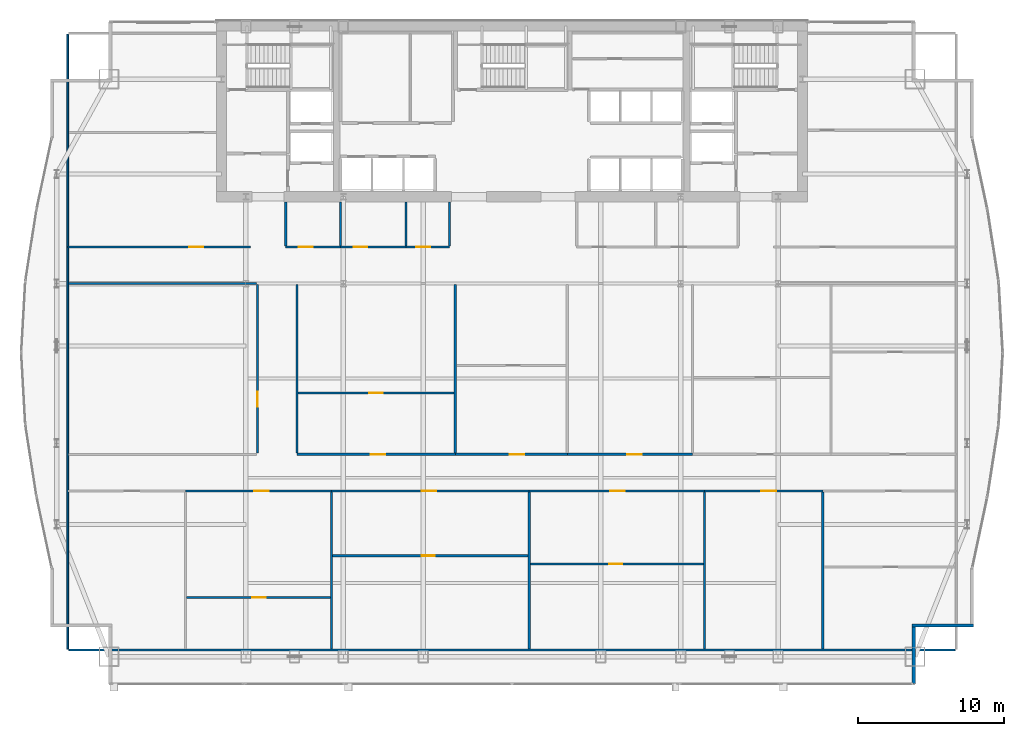
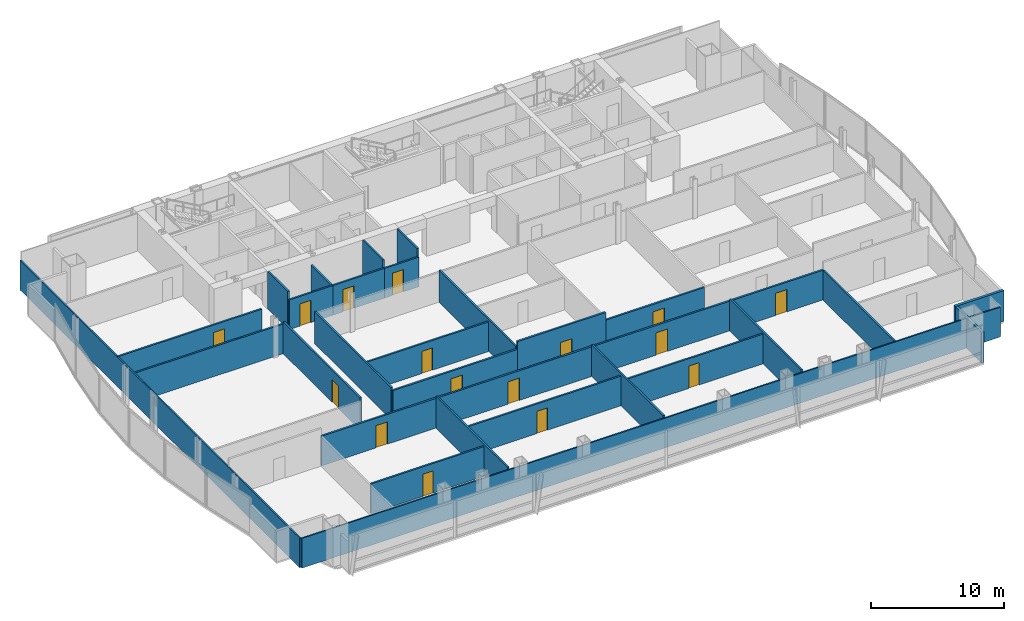
# One storey, part 24 of 29: 31 walls, 16 doors, 16 openings.
"""IFC4 building model written with IfcOpenShell, lengths in metres."""

from ifc_helpers import new_model, si_unit, direction, frame, frame_2d, origin, place, context, subcontext, project, spatial, rectangle, extrude, material, layer, layer_set, type_object, element, fill, save


model = new_model("IFC4")

# Units and contexts
model_context = context("Model", 3, precision=1e-05, world=origin(), true_north=direction((0.0, 1.0)))
body_context = subcontext(model_context, "Body", "Model", "MODEL_VIEW")
ifc_project = project(units=[si_unit("LENGTHUNIT", "METRE"), si_unit("AREAUNIT", "SQUARE_METRE"), si_unit("VOLUMEUNIT", "CUBIC_METRE"), si_unit("PLANEANGLEUNIT", "RADIAN"), si_unit("MASSUNIT", "GRAM", prefix="KILO")], contexts=[model_context])

# Site, building, storey
site_placement = place(None, origin())
site = spatial("IfcSite", under=ifc_project, at=site_placement, CompositionType="ELEMENT")
building_placement = place(site_placement, origin())
building = spatial("IfcBuilding", under=site, at=building_placement, Name="Khoronbel Lancet Exchange", CompositionType="ELEMENT")
storey_placement = place(building_placement, frame((0.0, 0.0, 165.0)))
storey = spatial("IfcBuildingStorey", under=building, at=storey_placement, Name="L41", CompositionType="ELEMENT", Elevation=165.0)

# Walls
ifc_material_1 = material(Name="Precast concrete C40/50", Category="concrete")
ifc_layer_1 = layer(ifc_material_1, 0.25, Name="Precast concrete C40/50")
ifc_layer_set_1 = layer_set([ifc_layer_1], Name="Precast concrete C40/50")
wall_type_1 = type_object("IfcWallType", Name="WL-EXT250", PredefinedType="SOLIDWALL", material=ifc_layer_set_1)
wall_1_placement = place(storey_placement, frame((68.070068359375, 12.2900390625, 0.0), z_axis=(0.0, 0.0, 1.0), x_axis=(-1.0, 0.0, 0.0)))
element("IfcWall", 1, at=wall_1_placement, inside=storey, type_object=wall_type_1, Name="Level L41 notched-corner limestone pier 24", PredefinedType="SOLIDWALL", context=body_context, shape_type="SweptSolid", body=[
    extrude(rectangle(XDim=4.219970703125, YDim=0.219970703125, at=frame_2d((2.10986328125, 0.0))), origin(), (0.0, 0.0, 1.0), 2.830078125),
])
wall_2_placement = place(storey_placement, frame((63.9599609375, 12.179931640625, 0.0), z_axis=(0.0, 0.0, 1.0), x_axis=(0.0, -1.0, 0.0)))
element("IfcWall", 2, at=wall_2_placement, inside=storey, type_object=wall_type_1, Name="Level L41 notched-corner limestone pier 25", PredefinedType="SOLIDWALL", context=body_context, shape_type="SweptSolid", body=[
    extrude(rectangle(XDim=3.909912109375, YDim=0.219970703125, at=frame_2d((1.955078125, 0.0))), origin(), (0.0, 0.0, 1.0), 2.830078125),
])
ifc_material_2 = material(Name="Acoustic Metal-Stud & Mineral-Wool Gypsum Partition 120 mm", Category="gypsum")
ifc_layer_2 = layer(ifc_material_2, 0.1201171875, Name="Acoustic Metal-Stud & Mineral-Wool Gypsum Partition 120 mm")
ifc_layer_set_2 = layer_set([ifc_layer_2], Name="Acoustic Metal-Stud & Mineral-Wool Gypsum Partition 120 mm")
wall_type_2 = type_object("IfcWallType", Name="WL-PRT120", PredefinedType="PARTITIONING", material=ifc_layer_set_2)
wall_3_placement = place(storey_placement, frame((20.949951171875, 38.280029296875, 0.0), z_axis=(0.0, 0.0, 1.0), x_axis=(0.0, 1.0, 0.0)))
element("IfcWall", 3, at=wall_3_placement, inside=storey, type_object=wall_type_2, Name="Level L41 interior partition PW-WC-0", PredefinedType="PARTITIONING", context=body_context, shape_type="SweptSolid", body=[
    extrude(rectangle(XDim=3.02001953125, YDim=0.14990234375, at=frame_2d((1.510009765625, 0.0))), origin(), (0.0, 0.0, 1.0), 3.43994140625),
])
wall_4_placement = place(storey_placement, frame((24.699951171875, 38.280029296875, 0.0), z_axis=(0.0, 0.0, 1.0), x_axis=(0.0, 1.0, 0.0)))
element("IfcWall", 4, at=wall_4_placement, inside=storey, type_object=wall_type_2, Name="Level L41 interior partition PW-WC-1", PredefinedType="PARTITIONING", context=body_context, shape_type="SweptSolid", body=[
    extrude(rectangle(XDim=3.02001953125, YDim=0.14990234375, at=frame_2d((1.510009765625, 0.0))), origin(), (0.0, 0.0, 1.0), 2.72998046875),
])
for number, where, z_axis, x_axis, name in (
    (5, (29.199951171875, 38.280029296875, 0.0), (0.0, 0.0, 1.0), (0.0, 1.0, 0.0), "Level L41 interior partition PW-WC-2"),
    (6, (32.179931640625, 38.280029296875, 0.0), (0.0, 0.0, 1.0), (0.0, 1.0, 0.0), "Level L41 interior partition PW-WC-3"),
):
    element("IfcWall", number, at=place(storey_placement, frame(where, z_axis=z_axis, x_axis=x_axis)), inside=storey, type_object=wall_type_2, Name=name, PredefinedType="PARTITIONING", context=body_context, shape_type="SweptSolid", body=[
        extrude(rectangle(XDim=3.02001953125, YDim=0.14990234375, at=frame_2d((1.510009765625, 0.0))), origin(), (0.0, 0.0, 1.0), 3.43994140625),
    ])

# Wall, opening, door
wall_5_placement = place(storey_placement, frame((14.1728515625, 14.208984375, 0.0), z_axis=(0.0, 0.0, 1.0), x_axis=(1.0, 0.0, 0.0)))
wall_5 = element("IfcWall", 7, at=wall_5_placement, inside=storey, type_object=wall_type_2, Name="Level L41 interior partition PW-Z2S-H2", PredefinedType="PARTITIONING", context=body_context, shape_type="SweptSolid", body=[
    extrude(rectangle(XDim=9.84033203125, YDim=0.14990234375, at=frame_2d((4.920166015625, 0.0))), origin(), (0.0, 0.0, 1.0), 2.72998046875),
])
opening_1_placement = place(wall_5_placement, frame((4.500244140625, 0.0, 0.0)))
opening_1 = element("IfcOpeningElement", 8, at=opening_1_placement, cuts=wall_5, Name="Opening D5", PredefinedType="OPENING", context=body_context, shape_type="SweptSolid", body=[
    extrude(rectangle(XDim=0.89990234375, YDim=2.050048828125, at=frame_2d((0.449951171875, 1.02490234375))), frame((0.0, 0.0849609375, 0.0), z_axis=(0.0, -1.0, 0.0), x_axis=(1.0, 0.0, 0.0)), (0.0, 0.0, 1.0), 0.169921875),
])
ifc_material_3 = material(Name="Acoustic Timber Pantry & Support Door", Category="wood")
door_type_1 = type_object("IfcDoorType", Name="DR-D5", OperationType="NOTDEFINED", PredefinedType="DOOR", material=ifc_material_3)
door_1_placement = place(opening_1_placement, origin())
door_1 = element("IfcDoor", 9, at=door_1_placement, inside=storey, type_object=door_type_1, Name="Z2S inner door 2 L41-1", OperationType="SINGLE_SWING_RIGHT", OverallHeight=2.050048828125, OverallWidth=0.89990234375, PredefinedType="DOOR", context=body_context, shape_type="SweptSolid", body=[
    extrude(rectangle(XDim=0.89990234375, YDim=2.050048828125, at=frame_2d((0.449951171875, 1.02490234375))), frame((0.0, 0.02490234375, 0.0), z_axis=(0.0, -1.0, 0.0), x_axis=(1.0, 0.0, 0.0)), (0.0, 0.0, 1.0), 0.050048828125),
])
fill(opening_1, door_1)

wall_6_placement = place(storey_placement, frame((24.173095703125, 17.063232421875, 0.0), z_axis=(0.0, 0.0, 1.0), x_axis=(1.0, 0.0, 0.0)))
wall_6 = element("IfcWall", 10, at=wall_6_placement, inside=storey, type_object=wall_type_2, Name="Level L41 interior partition PW-Z2S-H3", PredefinedType="PARTITIONING", context=body_context, shape_type="SweptSolid", body=[
    extrude(rectangle(XDim=13.378173828125, YDim=0.14990234375, at=frame_2d((6.68896484375, 0.0))), origin(), (0.0, 0.0, 1.0), 2.72998046875),
])
opening_2_placement = place(wall_6_placement, frame((6.092041015625, 0.0, 0.0)))
opening_2 = element("IfcOpeningElement", 11, at=opening_2_placement, cuts=wall_6, Name="Opening D5", PredefinedType="OPENING", context=body_context, shape_type="SweptSolid", body=[
    extrude(rectangle(XDim=0.89990234375, YDim=2.050048828125, at=frame_2d((0.449951171875, 1.02490234375))), frame((0.0, 0.0849609375, 0.0), z_axis=(0.0, -1.0, 0.0), x_axis=(1.0, 0.0, 0.0)), (0.0, 0.0, 1.0), 0.169921875),
])
door_2_placement = place(opening_2_placement, origin())
door_2 = element("IfcDoor", 12, at=door_2_placement, inside=storey, type_object=door_type_1, Name="Z2S inner door 3 L41-1", OperationType="SINGLE_SWING_RIGHT", OverallHeight=2.050048828125, OverallWidth=0.89990234375, PredefinedType="DOOR", context=body_context, shape_type="SweptSolid", body=[
    extrude(rectangle(XDim=0.89990234375, YDim=2.050048828125, at=frame_2d((0.449951171875, 1.02490234375))), frame((0.0, 0.02490234375, 0.0), z_axis=(0.0, -1.0, 0.0), x_axis=(1.0, 0.0, 0.0)), (0.0, 0.0, 1.0), 0.050048828125),
])
fill(opening_2, door_2)

wall_7_placement = place(storey_placement, frame((37.711181640625, 16.488037109375, 0.0), z_axis=(0.0, 0.0, 1.0), x_axis=(1.0, 0.0, 0.0)))
wall_7 = element("IfcWall", 13, at=wall_7_placement, inside=storey, type_object=wall_type_2, Name="Level L41 interior partition PW-Z2S-H4", PredefinedType="PARTITIONING", context=body_context, shape_type="SweptSolid", body=[
    extrude(rectangle(XDim=11.840576171875, YDim=0.14990234375, at=frame_2d((5.92041015625, 0.0))), origin(), (0.0, 0.0, 1.0), 2.72998046875),
])
opening_3_placement = place(wall_7_placement, frame((5.400146484375, 0.0, 0.0)))
opening_3 = element("IfcOpeningElement", 14, at=opening_3_placement, cuts=wall_7, Name="Opening D5", PredefinedType="OPENING", context=body_context, shape_type="SweptSolid", body=[
    extrude(rectangle(XDim=0.89990234375, YDim=2.050048828125, at=frame_2d((0.449951171875, 1.02490234375))), frame((0.0, 0.0849609375, 0.0), z_axis=(0.0, -1.0, 0.0), x_axis=(1.0, 0.0, 0.0)), (0.0, 0.0, 1.0), 0.169921875),
])
door_3_placement = place(opening_3_placement, origin())
door_3 = element("IfcDoor", 15, at=door_3_placement, inside=storey, type_object=door_type_1, Name="Z2S inner door 4 L41-1", OperationType="SINGLE_SWING_RIGHT", OverallHeight=2.050048828125, OverallWidth=0.89990234375, PredefinedType="DOOR", context=body_context, shape_type="SweptSolid", body=[
    extrude(rectangle(XDim=0.89990234375, YDim=2.050048828125, at=frame_2d((0.449951171875, 1.02490234375))), frame((0.0, 0.02490234375, 0.0), z_axis=(0.0, -1.0, 0.0), x_axis=(1.0, 0.0, 0.0)), (0.0, 0.0, 1.0), 0.050048828125),
])
fill(opening_3, door_3)

wall_8_placement = place(storey_placement, frame((21.81005859375, 28.2119140625, 0.0), z_axis=(0.0, 0.0, 1.0), x_axis=(1.0, 0.0, 0.0)))
wall_8 = element("IfcWall", 16, at=wall_8_placement, inside=storey, type_object=wall_type_2, Name="Level L41 interior partition PW-Z2N-H1", PredefinedType="PARTITIONING", context=body_context, shape_type="SweptSolid", body=[
    extrude(rectangle(XDim=10.673583984375, YDim=0.14990234375, at=frame_2d((5.3369140625, 0.0))), origin(), (0.0, 0.0, 1.0), 2.72998046875),
])
opening_4_placement = place(wall_8_placement, frame((4.875, 0.0, 0.0)))
opening_4 = element("IfcOpeningElement", 17, at=opening_4_placement, cuts=wall_8, Name="Opening D5", PredefinedType="OPENING", context=body_context, shape_type="SweptSolid", body=[
    extrude(rectangle(XDim=0.89990234375, YDim=2.050048828125, at=frame_2d((0.449951171875, 1.02490234375))), frame((0.0, 0.0849609375, 0.0), z_axis=(0.0, -1.0, 0.0), x_axis=(1.0, 0.0, 0.0)), (0.0, 0.0, 1.0), 0.169921875),
])
door_4_placement = place(opening_4_placement, origin())
door_4 = element("IfcDoor", 18, at=door_4_placement, inside=storey, type_object=door_type_1, Name="Z2N inner door 1 L41-1", OperationType="SINGLE_SWING_RIGHT", OverallHeight=2.050048828125, OverallWidth=0.89990234375, PredefinedType="DOOR", context=body_context, shape_type="SweptSolid", body=[
    extrude(rectangle(XDim=0.89990234375, YDim=2.050048828125, at=frame_2d((0.449951171875, 1.02490234375))), frame((0.0, 0.02490234375, 0.0), z_axis=(0.0, -1.0, 0.0), x_axis=(1.0, 0.0, 0.0)), (0.0, 0.0, 1.0), 0.050048828125),
])
fill(opening_4, door_4)

# Walls
wall_9_placement = place(storey_placement, frame((6.030029296875, 10.6650390625, 0.0), z_axis=(0.0, 0.0, 1.0), x_axis=(0.0, 1.0, 0.0)))
element("IfcWall", 19, at=wall_9_placement, inside=storey, type_object=wall_type_2, Name="Level L41 interior partition PW-LIN-W", PredefinedType="PARTITIONING", context=body_context, shape_type="SweptSolid", body=[
    extrude(rectangle(XDim=42.10986328125, YDim=0.1201171875, at=frame_2d((21.054931640625, 0.0))), origin(), (0.0, 0.0, 1.0), 2.72998046875),
])
wall_10_placement = place(storey_placement, frame((6.094970703125, 10.60009765625, 0.0), z_axis=(0.0, 0.0, 1.0), x_axis=(1.0, 0.0, 0.0)))
element("IfcWall", 20, at=wall_10_placement, inside=storey, type_object=wall_type_2, Name="Level L41 interior partition PW-LIN-S", PredefinedType="PARTITIONING", context=body_context, shape_type="SweptSolid", body=[
    extrude(rectangle(XDim=60.7099609375, YDim=0.1201171875, at=frame_2d((30.35498046875, 0.0))), origin(), (0.0, 0.0, 1.0), 2.72998046875),
])

# Wall, opening, door
ifc_material_4 = material(Name="Fire-Rated Twin-Stud Acoustic Gypsum Partition 150 mm", Category="gypsum")
ifc_layer_3 = layer(ifc_material_4, 0.14990234375, Name="Fire-Rated Twin-Stud Acoustic Gypsum Partition 150 mm")
ifc_layer_set_3 = layer_set([ifc_layer_3], Name="Fire-Rated Twin-Stud Acoustic Gypsum Partition 150 mm")
wall_type_3 = type_object("IfcWallType", Name="WL-PRT150C", PredefinedType="PARTITIONING", material=ifc_layer_set_3)
wall_11_placement = place(storey_placement, frame((20.949951171875, 38.199951171875, 0.0), z_axis=(0.0, 0.0, 1.0), x_axis=(1.0, 0.0, 0.0)))
wall_11 = element("IfcWall", 21, at=wall_11_placement, inside=storey, type_object=wall_type_3, Name="Level L41 interior partition PW-WC-S1", PredefinedType="PARTITIONING", context=body_context, shape_type="SweptSolid", body=[
    extrude(rectangle(XDim=3.75, YDim=0.14990234375, at=frame_2d((1.875, 0.0))), origin(), (0.0, 0.0, 1.0), 2.72998046875),
])
opening_5_placement = place(wall_11_placement, frame((0.89990234375, 0.0, 0.0)))
opening_5 = element("IfcOpeningElement", 22, at=opening_5_placement, cuts=wall_11, Name="Opening D4", PredefinedType="OPENING", context=body_context, shape_type="SweptSolid", body=[
    extrude(rectangle(XDim=0.949951171875, YDim=2.050048828125, at=frame_2d((0.47509765625, 1.02490234375))), frame((0.0, 0.0849609375, 0.0), z_axis=(0.0, -1.0, 0.0), x_axis=(1.0, 0.0, 0.0)), (0.0, 0.0, 1.0), 0.169921875),
])
ifc_material_5 = material(Name="Moisture-Resistant HPL Washroom Door", Category="wood")
door_type_2 = type_object("IfcDoorType", Name="DR-D4", OperationType="NOTDEFINED", PredefinedType="DOOR", material=ifc_material_5)
door_5_placement = place(opening_5_placement, origin())
door_5 = element("IfcDoor", 23, at=door_5_placement, inside=storey, type_object=door_type_2, Name="Male washroom door L41-1", OperationType="SINGLE_SWING_LEFT", OverallHeight=2.050048828125, OverallWidth=0.949951171875, PredefinedType="DOOR", context=body_context, shape_type="SweptSolid", body=[
    extrude(rectangle(XDim=0.949951171875, YDim=2.050048828125, at=frame_2d((0.47509765625, 1.02490234375))), frame((0.0, 0.02490234375, 0.0), z_axis=(0.0, -1.0, 0.0), x_axis=(1.0, 0.0, 0.0)), (0.0, 0.0, 1.0), 0.050048828125),
])
fill(opening_5, door_5)

wall_12_placement = place(storey_placement, frame((24.699951171875, 38.199951171875, 0.0), z_axis=(0.0, 0.0, 1.0), x_axis=(1.0, 0.0, 0.0)))
wall_12 = element("IfcWall", 24, at=wall_12_placement, inside=storey, type_object=wall_type_3, Name="Level L41 interior partition PW-WC-S2", PredefinedType="PARTITIONING", context=body_context, shape_type="SweptSolid", body=[
    extrude(rectangle(XDim=4.5, YDim=0.14990234375, at=frame_2d((2.25, 0.0))), origin(), (0.0, 0.0, 1.0), 2.72998046875),
])
opening_6_placement = place(wall_12_placement, frame((0.89990234375, 0.0, 0.0)))
opening_6 = element("IfcOpeningElement", 25, at=opening_6_placement, cuts=wall_12, Name="Opening D4", PredefinedType="OPENING", context=body_context, shape_type="SweptSolid", body=[
    extrude(rectangle(XDim=0.949951171875, YDim=2.050048828125, at=frame_2d((0.47509765625, 1.02490234375))), frame((0.0, 0.0849609375, 0.0), z_axis=(0.0, -1.0, 0.0), x_axis=(1.0, 0.0, 0.0)), (0.0, 0.0, 1.0), 0.169921875),
])
door_6_placement = place(opening_6_placement, origin())
door_6 = element("IfcDoor", 26, at=door_6_placement, inside=storey, type_object=door_type_2, Name="Female washroom door L41-1", OperationType="SINGLE_SWING_RIGHT", OverallHeight=2.050048828125, OverallWidth=0.949951171875, PredefinedType="DOOR", context=body_context, shape_type="SweptSolid", body=[
    extrude(rectangle(XDim=0.949951171875, YDim=2.050048828125, at=frame_2d((0.47509765625, 1.02490234375))), frame((0.0, 0.02490234375, 0.0), z_axis=(0.0, -1.0, 0.0), x_axis=(1.0, 0.0, 0.0)), (0.0, 0.0, 1.0), 0.050048828125),
])
fill(opening_6, door_6)

wall_13_placement = place(storey_placement, frame((29.199951171875, 38.199951171875, 0.0), z_axis=(0.0, 0.0, 1.0), x_axis=(1.0, 0.0, 0.0)))
wall_13 = element("IfcWall", 27, at=wall_13_placement, inside=storey, type_object=wall_type_3, Name="Level L41 interior partition PW-WC-S3", PredefinedType="PARTITIONING", context=body_context, shape_type="SweptSolid", body=[
    extrude(rectangle(XDim=2.97998046875, YDim=0.14990234375, at=frame_2d((1.489990234375, 0.0))), origin(), (0.0, 0.0, 1.0), 2.72998046875),
])
opening_7_placement = place(wall_13_placement, frame((0.699951171875, 0.0, 0.0)))
opening_7 = element("IfcOpeningElement", 28, at=opening_7_placement, cuts=wall_13, Name="Opening D4", PredefinedType="OPENING", context=body_context, shape_type="SweptSolid", body=[
    extrude(rectangle(XDim=0.949951171875, YDim=2.050048828125, at=frame_2d((0.47509765625, 1.02490234375))), frame((0.0, 0.0849609375, 0.0), z_axis=(0.0, -1.0, 0.0), x_axis=(1.0, 0.0, 0.0)), (0.0, 0.0, 1.0), 0.169921875),
])
door_7_placement = place(opening_7_placement, origin())
door_7 = element("IfcDoor", 29, at=door_7_placement, inside=storey, type_object=door_type_2, Name="Accessible WC door L41-1", OperationType="SINGLE_SWING_LEFT", OverallHeight=2.050048828125, OverallWidth=0.949951171875, PredefinedType="DOOR", context=body_context, shape_type="SweptSolid", body=[
    extrude(rectangle(XDim=0.949951171875, YDim=2.050048828125, at=frame_2d((0.47509765625, 1.02490234375))), frame((0.0, 0.02490234375, 0.0), z_axis=(0.0, -1.0, 0.0), x_axis=(1.0, 0.0, 0.0)), (0.0, 0.0, 1.0), 0.050048828125),
])
fill(opening_7, door_7)

wall_14_placement = place(storey_placement, frame((6.030029296875, 38.199951171875, 0.0), z_axis=(0.0, 0.0, 1.0), x_axis=(1.0, 0.0, 0.0)))
wall_14 = element("IfcWall", 30, at=wall_14_placement, inside=storey, type_object=wall_type_3, Name="Level L41 interior partition PW-NW-S", PredefinedType="PARTITIONING", context=body_context, shape_type="SweptSolid", body=[
    extrude(rectangle(XDim=12.52001953125, YDim=0.14990234375, at=frame_2d((6.260009765625, 0.0))), origin(), (0.0, 0.0, 1.0), 2.72998046875),
])
opening_8_placement = place(wall_14_placement, frame((8.320068359375, 0.0, 0.0)))
opening_8 = element("IfcOpeningElement", 31, at=opening_8_placement, cuts=wall_14, Name="Opening D1", PredefinedType="OPENING", context=body_context, shape_type="SweptSolid", body=[
    extrude(rectangle(XDim=0.949951171875, YDim=2.050048828125, at=frame_2d((0.47509765625, 1.02490234375))), frame((0.0, 0.0849609375, 0.0), z_axis=(0.0, -1.0, 0.0), x_axis=(1.0, 0.0, 0.0)), (0.0, 0.0, 1.0), 0.169921875),
])
ifc_material_6 = material(Name="Acoustic Veneered Timber & Bronze Frame Door", Category="wood")
door_type_3 = type_object("IfcDoorType", Name="DR-D1", OperationType="NOTDEFINED", PredefinedType="DOOR", material=ifc_material_6)
door_8_placement = place(opening_8_placement, origin())
door_8 = element("IfcDoor", 32, at=door_8_placement, inside=storey, type_object=door_type_3, Name="NW corner room door L41-1", OperationType="SINGLE_SWING_RIGHT", OverallHeight=2.050048828125, OverallWidth=0.949951171875, PredefinedType="DOOR", context=body_context, shape_type="SweptSolid", body=[
    extrude(rectangle(XDim=0.949951171875, YDim=2.050048828125, at=frame_2d((0.47509765625, 1.02490234375))), frame((0.0, 0.02490234375, 0.0), z_axis=(0.0, -1.0, 0.0), x_axis=(1.0, 0.0, 0.0)), (0.0, 0.0, 1.0), 0.050048828125),
])
fill(opening_8, door_8)

# Walls
for number, where, z_axis, x_axis, name in (
    (33, (24.09326171875, 10.6650390625, 0.0), (0.0, 0.0, 1.0), (0.0, 1.0, 0.0), "Level L41 interior partition PW-Z2S-V2"),
    (34, (37.63134765625, 10.6650390625, 0.0), (0.0, 0.0, 1.0), (0.0, 1.0, 0.0), "Level L41 interior partition PW-Z2S-V3"),
    (35, (49.6318359375, 10.6650390625, 0.0), (0.0, 0.0, 1.0), (0.0, 1.0, 0.0), "Level L41 interior partition PW-Z2S-V4"),
):
    element("IfcWall", number, at=place(storey_placement, frame(where, z_axis=z_axis, x_axis=x_axis)), inside=storey, type_object=wall_type_3, Name=name, PredefinedType="PARTITIONING", context=body_context, shape_type="SweptSolid", body=[
        extrude(rectangle(XDim=10.75, YDim=0.14990234375, at=frame_2d((5.375, 0.0))), origin(), (0.0, 0.0, 1.0), 2.929931640625),
    ])
wall_15_placement = place(storey_placement, frame((57.732177734375, 10.6650390625, 0.0), z_axis=(0.0, 0.0, 1.0), x_axis=(0.0, 1.0, 0.0)))
element("IfcWall", 36, at=wall_15_placement, inside=storey, type_object=wall_type_3, Name="Level L41 interior partition PW-Z2S-V5", PredefinedType="PARTITIONING", context=body_context, shape_type="SweptSolid", body=[
    extrude(rectangle(XDim=10.75, YDim=0.14990234375, at=frame_2d((5.375, 0.0))), origin(), (0.0, 0.0, 1.0), 2.72998046875),
])

# Wall, opening, door
wall_16_placement = place(storey_placement, frame((19.02001953125, 24.080078125, 0.0), z_axis=(0.0, 0.0, 1.0), x_axis=(0.0, 1.0, 0.0)))
wall_16 = element("IfcWall", 37, at=wall_16_placement, inside=storey, type_object=wall_type_3, Name="Level L41 interior partition PW-Z2-WLK", PredefinedType="PARTITIONING", context=body_context, shape_type="SweptSolid", body=[
    extrude(rectangle(XDim=11.5400390625, YDim=0.14990234375, at=frame_2d((5.77001953125, 0.0))), origin(), (0.0, 0.0, 1.0), 2.929931640625),
])
opening_9_placement = place(wall_16_placement, frame((3.199951171875, 0.0, 0.0)))
opening_9 = element("IfcOpeningElement", 38, at=opening_9_placement, cuts=wall_16, Name="Opening D2", PredefinedType="OPENING", context=body_context, shape_type="SweptSolid", body=[
    extrude(rectangle(XDim=1.0, YDim=2.050048828125, at=frame_2d((0.5, 1.02490234375))), frame((0.0, 0.0849609375, 0.0), z_axis=(0.0, -1.0, 0.0), x_axis=(1.0, 0.0, 0.0)), (0.0, 0.0, 1.0), 0.169921875),
])
door_type_4 = type_object("IfcDoorType", Name="DR-D2", OperationType="NOTDEFINED", PredefinedType="DOOR", material=ifc_material_6)
door_9_placement = place(opening_9_placement, origin())
door_9 = element("IfcDoor", 39, at=door_9_placement, inside=storey, type_object=door_type_4, Name="West mid-band room door L41-1", OperationType="SINGLE_SWING_RIGHT", OverallHeight=2.050048828125, OverallWidth=1.0, PredefinedType="DOOR", context=body_context, shape_type="SweptSolid", body=[
    extrude(rectangle(XDim=1.0, YDim=2.050048828125, at=frame_2d((0.5, 1.02490234375))), frame((0.0, 0.02490234375, 0.0), z_axis=(0.0, -1.0, 0.0), x_axis=(1.0, 0.0, 0.0)), (0.0, 0.0, 1.0), 0.050048828125),
])
fill(opening_9, door_9)

# Walls
wall_17_placement = place(storey_placement, frame((6.094970703125, 35.699951171875, 0.0), z_axis=(0.0, 0.0, 1.0), x_axis=(1.0, 0.0, 0.0)))
element("IfcWall", 40, at=wall_17_placement, inside=storey, type_object=wall_type_3, Name="Level L41 interior partition PW-Z2-WN", PredefinedType="PARTITIONING", context=body_context, shape_type="SweptSolid", body=[
    extrude(rectangle(XDim=12.844970703125, YDim=0.14990234375, at=frame_2d((6.42236328125, 0.0))), origin(), (0.0, 0.0, 1.0), 2.72998046875),
])
for number, where, z_axis, x_axis, name in (
    (41, (21.72998046875, 24.0849609375, 0.0), (0.0, 0.0, 1.0), (0.0, 1.0, 0.0), "Level L41 interior partition PW-Z2-ELK"),
    (42, (32.563720703125, 24.0849609375, 0.0), (0.0, 0.0, 1.0), (0.0, 1.0, 0.0), "Level L41 interior partition PW-Z2N-V1"),
):
    element("IfcWall", number, at=place(storey_placement, frame(where, z_axis=z_axis, x_axis=x_axis)), inside=storey, type_object=wall_type_3, Name=name, PredefinedType="PARTITIONING", context=body_context, shape_type="SweptSolid", body=[
        extrude(rectangle(XDim=11.53515625, YDim=0.14990234375, at=frame_2d((5.767578125, 0.0))), origin(), (0.0, 0.0, 1.0), 2.929931640625),
    ])

# Wall, opening, door
ifc_material_7 = material(Name="Fire-Rated Twin-Stud Acoustic Gypsum Partition 160 mm", Category="gypsum")
ifc_layer_4 = layer(ifc_material_7, 0.159912109375, Name="Fire-Rated Twin-Stud Acoustic Gypsum Partition 160 mm")
ifc_layer_set_4 = layer_set([ifc_layer_4], Name="Fire-Rated Twin-Stud Acoustic Gypsum Partition 160 mm")
wall_type_4 = type_object("IfcWallType", Name="WL-PRT160C", PredefinedType="PARTITIONING", material=ifc_layer_set_4)
wall_18_placement = place(storey_placement, frame((14.0927734375, 21.5, 0.0), z_axis=(0.0, 0.0, 1.0), x_axis=(1.0, 0.0, 0.0)))
wall_18 = element("IfcWall", 43, at=wall_18_placement, inside=storey, type_object=wall_type_4, Name="Level L41 interior partition PW-Z2S-COR2", PredefinedType="PARTITIONING", context=body_context, shape_type="SweptSolid", body=[
    extrude(rectangle(XDim=10.00048828125, YDim=0.159912109375, at=frame_2d((5.000244140625, 0.0))), origin(), (0.0, 0.0, 1.0), 2.72998046875),
])
opening_10_placement = place(wall_18_placement, frame((4.7001953125, 0.0, 0.0)))
opening_10 = element("IfcOpeningElement", 44, at=opening_10_placement, cuts=wall_18, Name="Opening D2", PredefinedType="OPENING", context=body_context, shape_type="SweptSolid", body=[
    extrude(rectangle(XDim=1.0, YDim=2.050048828125, at=frame_2d((0.5, 1.02490234375))), frame((0.0, 0.08984375, 0.0), z_axis=(0.0, -1.0, 0.0), x_axis=(1.0, 0.0, 0.0)), (0.0, 0.0, 1.0), 0.179931640625),
])
door_10_placement = place(opening_10_placement, origin())
door_10 = element("IfcDoor", 45, at=door_10_placement, inside=storey, type_object=door_type_4, Name="Z2S bay 2 door L41-1", OperationType="SINGLE_SWING_LEFT", OverallHeight=2.050048828125, OverallWidth=1.0, PredefinedType="DOOR", context=body_context, shape_type="SweptSolid", body=[
    extrude(rectangle(XDim=1.0, YDim=2.050048828125, at=frame_2d((0.5, 1.02490234375))), frame((0.0, 0.02490234375, 0.0), z_axis=(0.0, -1.0, 0.0), x_axis=(1.0, 0.0, 0.0)), (0.0, 0.0, 1.0), 0.050048828125),
])
fill(opening_10, door_10)

wall_19_placement = place(storey_placement, frame((24.09326171875, 21.5, 0.0), z_axis=(0.0, 0.0, 1.0), x_axis=(1.0, 0.0, 0.0)))
wall_19 = element("IfcWall", 46, at=wall_19_placement, inside=storey, type_object=wall_type_4, Name="Level L41 interior partition PW-Z2S-COR3", PredefinedType="PARTITIONING", context=body_context, shape_type="SweptSolid", body=[
    extrude(rectangle(XDim=13.5380859375, YDim=0.159912109375, at=frame_2d((6.76904296875, 0.0))), origin(), (0.0, 0.0, 1.0), 2.72998046875),
])
opening_11_placement = place(wall_19_placement, frame((6.18603515625, 0.0, 0.0)))
opening_11 = element("IfcOpeningElement", 47, at=opening_11_placement, cuts=wall_19, Name="Opening D2", PredefinedType="OPENING", context=body_context, shape_type="SweptSolid", body=[
    extrude(rectangle(XDim=1.0, YDim=2.050048828125, at=frame_2d((0.5, 1.02490234375))), frame((0.0, 0.08984375, 0.0), z_axis=(0.0, -1.0, 0.0), x_axis=(1.0, 0.0, 0.0)), (0.0, 0.0, 1.0), 0.179931640625),
])
door_11_placement = place(opening_11_placement, origin())
door_11 = element("IfcDoor", 48, at=door_11_placement, inside=storey, type_object=door_type_4, Name="Z2S bay 3 door L41-1", OperationType="SINGLE_SWING_LEFT", OverallHeight=2.050048828125, OverallWidth=1.0, PredefinedType="DOOR", context=body_context, shape_type="SweptSolid", body=[
    extrude(rectangle(XDim=1.0, YDim=2.050048828125, at=frame_2d((0.5, 1.02490234375))), frame((0.0, 0.02490234375, 0.0), z_axis=(0.0, -1.0, 0.0), x_axis=(1.0, 0.0, 0.0)), (0.0, 0.0, 1.0), 0.050048828125),
])
fill(opening_11, door_11)

wall_20_placement = place(storey_placement, frame((37.63134765625, 21.5, 0.0), z_axis=(0.0, 0.0, 1.0), x_axis=(1.0, 0.0, 0.0)))
wall_20 = element("IfcWall", 49, at=wall_20_placement, inside=storey, type_object=wall_type_4, Name="Level L41 interior partition PW-Z2S-COR4", PredefinedType="PARTITIONING", context=body_context, shape_type="SweptSolid", body=[
    extrude(rectangle(XDim=12.00048828125, YDim=0.159912109375, at=frame_2d((6.000244140625, 0.0))), origin(), (0.0, 0.0, 1.0), 2.72998046875),
])
opening_12_placement = place(wall_20_placement, frame((5.540283203125, 0.0, 0.0)))
opening_12 = element("IfcOpeningElement", 50, at=opening_12_placement, cuts=wall_20, Name="Opening D2", PredefinedType="OPENING", context=body_context, shape_type="SweptSolid", body=[
    extrude(rectangle(XDim=1.0, YDim=2.050048828125, at=frame_2d((0.5, 1.02490234375))), frame((0.0, 0.08984375, 0.0), z_axis=(0.0, -1.0, 0.0), x_axis=(1.0, 0.0, 0.0)), (0.0, 0.0, 1.0), 0.179931640625),
])
door_12_placement = place(opening_12_placement, origin())
door_12 = element("IfcDoor", 51, at=door_12_placement, inside=storey, type_object=door_type_4, Name="Z2S bay 4 door L41-1", OperationType="SINGLE_SWING_LEFT", OverallHeight=2.050048828125, OverallWidth=1.0, PredefinedType="DOOR", context=body_context, shape_type="SweptSolid", body=[
    extrude(rectangle(XDim=1.0, YDim=2.050048828125, at=frame_2d((0.5, 1.02490234375))), frame((0.0, 0.02490234375, 0.0), z_axis=(0.0, -1.0, 0.0), x_axis=(1.0, 0.0, 0.0)), (0.0, 0.0, 1.0), 0.050048828125),
])
fill(opening_12, door_12)

wall_21_placement = place(storey_placement, frame((49.6318359375, 21.5, 0.0), z_axis=(0.0, 0.0, 1.0), x_axis=(1.0, 0.0, 0.0)))
wall_21 = element("IfcWall", 52, at=wall_21_placement, inside=storey, type_object=wall_type_4, Name="Level L41 interior partition PW-Z2S-COR5", PredefinedType="PARTITIONING", context=body_context, shape_type="SweptSolid", body=[
    extrude(rectangle(XDim=8.100341796875, YDim=0.159912109375, at=frame_2d((4.05029296875, 0.0))), origin(), (0.0, 0.0, 1.0), 2.72998046875),
])
opening_13_placement = place(wall_21_placement, frame((3.902099609375, 0.0, 0.0)))
opening_13 = element("IfcOpeningElement", 53, at=opening_13_placement, cuts=wall_21, Name="Opening D2", PredefinedType="OPENING", context=body_context, shape_type="SweptSolid", body=[
    extrude(rectangle(XDim=1.0, YDim=2.050048828125, at=frame_2d((0.5, 1.02490234375))), frame((0.0, 0.08984375, 0.0), z_axis=(0.0, -1.0, 0.0), x_axis=(1.0, 0.0, 0.0)), (0.0, 0.0, 1.0), 0.179931640625),
])
door_13_placement = place(opening_13_placement, origin())
door_13 = element("IfcDoor", 54, at=door_13_placement, inside=storey, type_object=door_type_4, Name="Z2S bay 5 door L41-1", OperationType="SINGLE_SWING_LEFT", OverallHeight=2.050048828125, OverallWidth=1.0, PredefinedType="DOOR", context=body_context, shape_type="SweptSolid", body=[
    extrude(rectangle(XDim=1.0, YDim=2.050048828125, at=frame_2d((0.5, 1.02490234375))), frame((0.0, 0.02490234375, 0.0), z_axis=(0.0, -1.0, 0.0), x_axis=(1.0, 0.0, 0.0)), (0.0, 0.0, 1.0), 0.050048828125),
])
fill(opening_13, door_13)

wall_22_placement = place(storey_placement, frame((21.72998046875, 24.0, 0.0), z_axis=(0.0, 0.0, 1.0), x_axis=(1.0, 0.0, 0.0)))
wall_22 = element("IfcWall", 55, at=wall_22_placement, inside=storey, type_object=wall_type_4, Name="Level L41 interior partition PW-Z2N-COR1", PredefinedType="PARTITIONING", context=body_context, shape_type="SweptSolid", body=[
    extrude(rectangle(XDim=10.833740234375, YDim=0.159912109375, at=frame_2d((5.4169921875, 0.0))), origin(), (0.0, 0.0, 1.0), 2.72998046875),
])
opening_14_placement = place(wall_22_placement, frame((5.050048828125, 0.0, 0.0)))
opening_14 = element("IfcOpeningElement", 56, at=opening_14_placement, cuts=wall_22, Name="Opening D2", PredefinedType="OPENING", context=body_context, shape_type="SweptSolid", body=[
    extrude(rectangle(XDim=1.0, YDim=2.050048828125, at=frame_2d((0.5, 1.02490234375))), frame((0.0, 0.08984375, 0.0), z_axis=(0.0, -1.0, 0.0), x_axis=(1.0, 0.0, 0.0)), (0.0, 0.0, 1.0), 0.179931640625),
])
door_14_placement = place(opening_14_placement, origin())
door_14 = element("IfcDoor", 57, at=door_14_placement, inside=storey, type_object=door_type_4, Name="Z2N bay 1 door L41-1", OperationType="SINGLE_SWING_LEFT", OverallHeight=2.050048828125, OverallWidth=1.0, PredefinedType="DOOR", context=body_context, shape_type="SweptSolid", body=[
    extrude(rectangle(XDim=1.0, YDim=2.050048828125, at=frame_2d((0.5, 1.02490234375))), frame((0.0, 0.02490234375, 0.0), z_axis=(0.0, -1.0, 0.0), x_axis=(1.0, 0.0, 0.0)), (0.0, 0.0, 1.0), 0.050048828125),
])
fill(opening_14, door_14)

wall_23_placement = place(storey_placement, frame((32.563720703125, 24.0, 0.0), z_axis=(0.0, 0.0, 1.0), x_axis=(1.0, 0.0, 0.0)))
wall_23 = element("IfcWall", 58, at=wall_23_placement, inside=storey, type_object=wall_type_4, Name="Level L41 interior partition PW-Z2N-COR2", PredefinedType="PARTITIONING", context=body_context, shape_type="SweptSolid", body=[
    extrude(rectangle(XDim=7.673583984375, YDim=0.159912109375, at=frame_2d((3.8369140625, 0.0))), origin(), (0.0, 0.0, 1.0), 3.43994140625),
])
opening_15_placement = place(wall_23_placement, frame((3.722900390625, 0.0, 0.0)))
opening_15 = element("IfcOpeningElement", 59, at=opening_15_placement, cuts=wall_23, Name="Opening D2", PredefinedType="OPENING", context=body_context, shape_type="SweptSolid", body=[
    extrude(rectangle(XDim=1.0, YDim=2.050048828125, at=frame_2d((0.5, 1.02490234375))), frame((0.0, 0.08984375, 0.0), z_axis=(0.0, -1.0, 0.0), x_axis=(1.0, 0.0, 0.0)), (0.0, 0.0, 1.0), 0.179931640625),
])
door_15_placement = place(opening_15_placement, origin())
door_15 = element("IfcDoor", 60, at=door_15_placement, inside=storey, type_object=door_type_4, Name="Z2N bay 2 door L41-1", OperationType="SINGLE_SWING_LEFT", OverallHeight=2.050048828125, OverallWidth=1.0, PredefinedType="DOOR", context=body_context, shape_type="SweptSolid", body=[
    extrude(rectangle(XDim=1.0, YDim=2.050048828125, at=frame_2d((0.5, 1.02490234375))), frame((0.0, 0.02490234375, 0.0), z_axis=(0.0, -1.0, 0.0), x_axis=(1.0, 0.0, 0.0)), (0.0, 0.0, 1.0), 0.050048828125),
])
fill(opening_15, door_15)

wall_24_placement = place(storey_placement, frame((40.2373046875, 24.0, 0.0), z_axis=(0.0, 0.0, 1.0), x_axis=(1.0, 0.0, 0.0)))
wall_24 = element("IfcWall", 61, at=wall_24_placement, inside=storey, type_object=wall_type_4, Name="Level L41 interior partition PW-Z2N-COR3", PredefinedType="PARTITIONING", context=body_context, shape_type="SweptSolid", body=[
    extrude(rectangle(XDim=8.57666015625, YDim=0.159912109375, at=frame_2d((4.288330078125, 0.0))), origin(), (0.0, 0.0, 1.0), 2.72998046875),
])
opening_16_placement = place(wall_24_placement, frame((4.102294921875, 0.0, 0.0)))
opening_16 = element("IfcOpeningElement", 62, at=opening_16_placement, cuts=wall_24, Name="Opening D2", PredefinedType="OPENING", context=body_context, shape_type="SweptSolid", body=[
    extrude(rectangle(XDim=1.0, YDim=2.050048828125, at=frame_2d((0.5, 1.02490234375))), frame((0.0, 0.08984375, 0.0), z_axis=(0.0, -1.0, 0.0), x_axis=(1.0, 0.0, 0.0)), (0.0, 0.0, 1.0), 0.179931640625),
])
door_16_placement = place(opening_16_placement, origin())
door_16 = element("IfcDoor", 63, at=door_16_placement, inside=storey, type_object=door_type_4, Name="Z2N bay 3 door L41-1", OperationType="SINGLE_SWING_LEFT", OverallHeight=2.050048828125, OverallWidth=1.0, PredefinedType="DOOR", context=body_context, shape_type="SweptSolid", body=[
    extrude(rectangle(XDim=1.0, YDim=2.050048828125, at=frame_2d((0.5, 1.02490234375))), frame((0.0, 0.02490234375, 0.0), z_axis=(0.0, -1.0, 0.0), x_axis=(1.0, 0.0, 0.0)), (0.0, 0.0, 1.0), 0.050048828125),
])
fill(opening_16, door_16)

save(model, "model.ifc")
